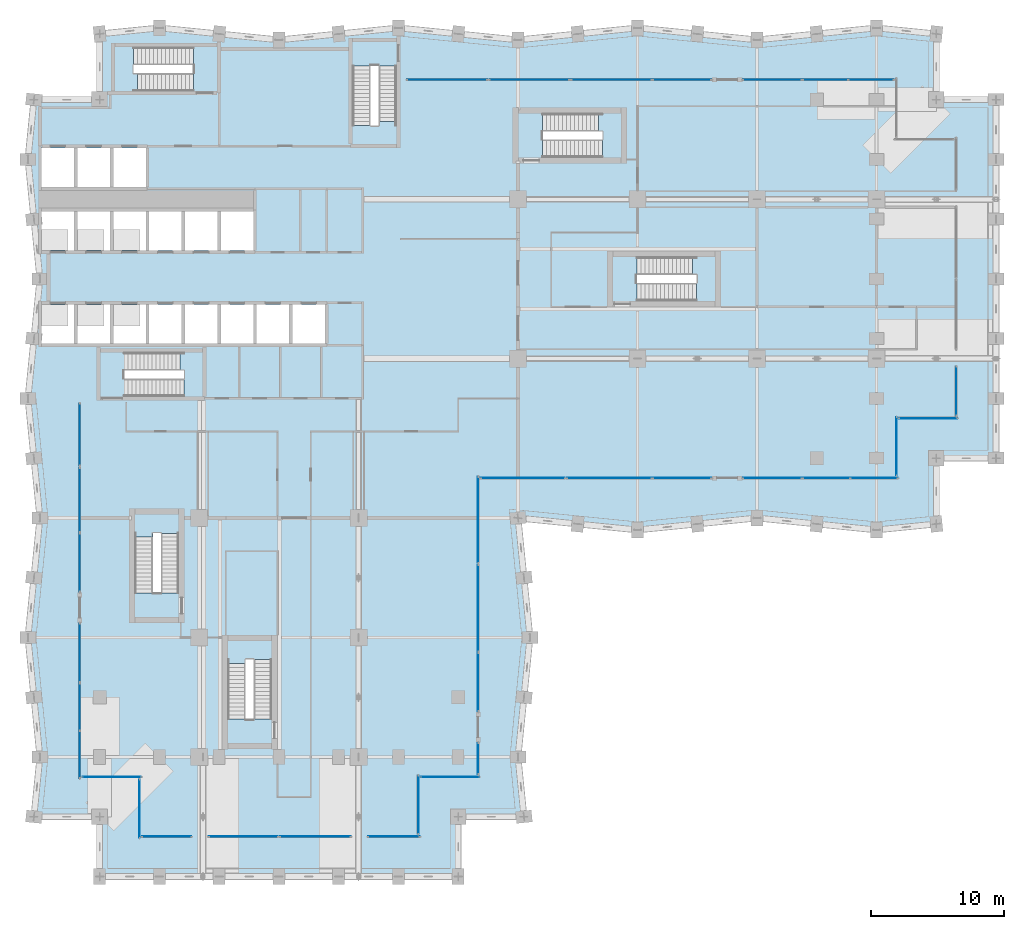
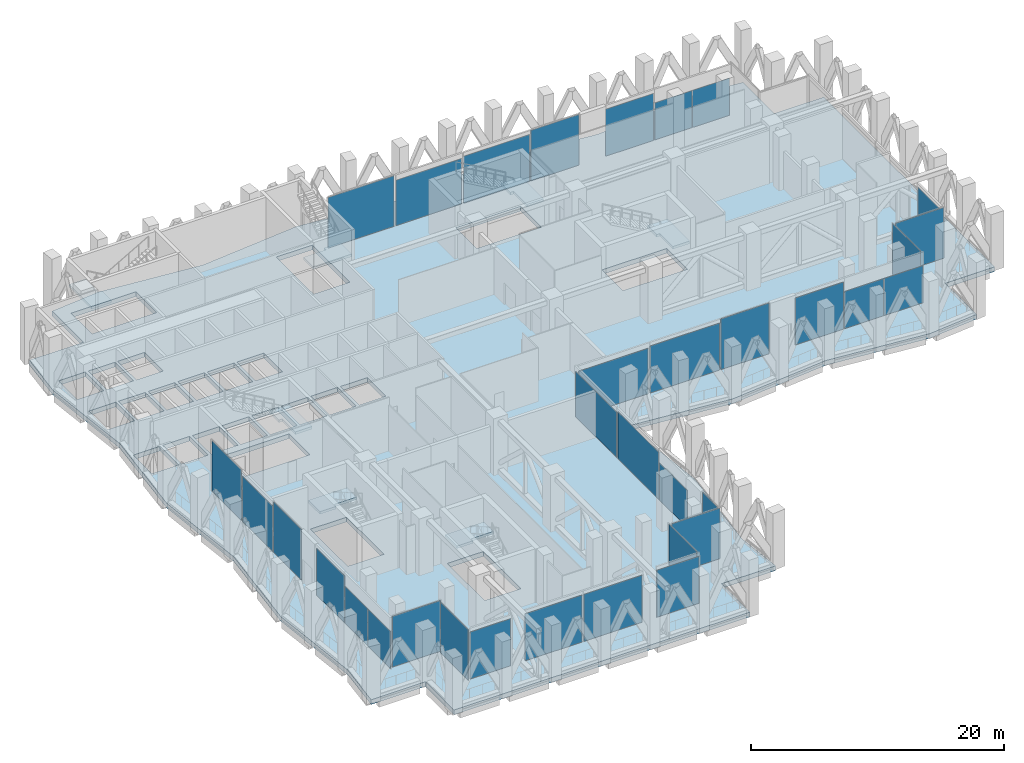
# One storey, part 20 of 37: 34 plates, 8 slabs, 38 elements without a shape of their own.
"""IFC4 building model written with IfcOpenShell, lengths in metres."""

from ifc_helpers import new_model, si_unit, direction, frame, origin, origin_2d, place, context, subcontext, project, spatial, polyline, rectangle, outline, extrude, material, layer, layer_set, type_object, element, aggregate, save


model = new_model("IFC4")

# Units and contexts
model_context = context("Model", 3, precision=1e-05, world=origin(), true_north=direction((0.0, 1.0)))
body_context = subcontext(model_context, "Body", "Model", "MODEL_VIEW")
ifc_project = project(units=[si_unit("LENGTHUNIT", "METRE"), si_unit("AREAUNIT", "SQUARE_METRE"), si_unit("VOLUMEUNIT", "CUBIC_METRE"), si_unit("PLANEANGLEUNIT", "RADIAN"), si_unit("MASSUNIT", "GRAM", prefix="KILO")], contexts=[model_context])

# Site, building, storey
site_placement = place(None, origin())
site = spatial("IfcSite", under=ifc_project, at=site_placement, CompositionType="ELEMENT")
building_placement = place(site_placement, origin())
building = spatial("IfcBuilding", under=site, at=building_placement, Name="Brondeck Convention Tower", CompositionType="ELEMENT")
storey_placement = place(building_placement, frame((0.0, 0.0, 137.89990234375)))
storey = spatial("IfcBuildingStorey", under=building, at=storey_placement, Name="L33", CompositionType="ELEMENT", Elevation=137.89990234375)

# Curtain wall, plate
ifc_material_1 = material(Name="Aluminium, bronze anodised", Category="aluminium")
curtain_wall_type = type_object("IfcCurtainWallType", Name="Sky lobby curtain wall", PredefinedType="NOTDEFINED", material=ifc_material_1)
curtain_wall_1_placement = place(storey_placement, origin())
curtain_wall_1 = element("IfcCurtainWall", 1, at=curtain_wall_1_placement, inside=storey, type_object=curtain_wall_type, Name="ENV-L33-001-CW30", PredefinedType="NOTDEFINED")
ifc_material_2 = material(Name="Bronze tinted laminated glass", Category="glass")
ifc_layer_1 = layer(ifc_material_2, 0.008056640625, Name="Outer pane")
ifc_material_3 = material(Name="Argon-filled cavity")
ifc_layer_2 = layer(ifc_material_3, 0.011962890625, Name="Cavity")
ifc_material_4 = material(Name="Clear low-emissivity glass", Category="glass")
ifc_layer_3 = layer(ifc_material_4, 0.008056640625, Name="Inner pane")
ifc_layer_set_1 = layer_set([ifc_layer_1, ifc_layer_2, ifc_layer_3], Name="CW3 glazing panel")
plate_type = type_object("IfcPlateType", Name="CW3 glazing panel", PredefinedType="CURTAIN_PANEL", material=ifc_layer_set_1)
plate_1_placement = place(storey_placement, frame((5.39990234375, 7.5, 0.06005859375), z_axis=(0.0, 0.0, 1.0), x_axis=(-1.0, 0.0, 0.0)))
plate_1 = element("IfcPlate", 2, at=plate_1_placement, type_object=plate_type, Name="CW3 panel 1.1", PredefinedType="CURTAIN_PANEL", context=body_context, shape_type="SweptSolid", body=[
    extrude(rectangle(XDim=4.3798828125, YDim=0.028076171875, at=origin_2d()), origin(), (0.0, 0.0, 1.0), 4.8798828125),
])
aggregate(curtain_wall_1, [plate_1])

curtain_wall_2_placement = place(storey_placement, origin())
curtain_wall_2 = element("IfcCurtainWall", 3, at=curtain_wall_2_placement, inside=storey, type_object=curtain_wall_type, Name="ENV-L33-002-CW30", PredefinedType="NOTDEFINED")
plate_2_placement = place(storey_placement, frame((7.5, 5.10009765625, 0.06005859375), z_axis=(0.0, 0.0, 1.0), x_axis=(0.0, 1.0, 0.0)))
plate_2 = element("IfcPlate", 4, at=plate_2_placement, type_object=plate_type, Name="CW3 panel 1.1", PredefinedType="CURTAIN_PANEL", context=body_context, shape_type="SweptSolid", body=[
    extrude(rectangle(XDim=4.3798828125, YDim=0.028076171875, at=origin_2d()), origin(), (0.0, 0.0, 1.0), 4.8798828125),
])
aggregate(curtain_wall_2, [plate_2])

curtain_wall_3_placement = place(storey_placement, origin())
curtain_wall_3 = element("IfcCurtainWall", 5, at=curtain_wall_3_placement, inside=storey, type_object=curtain_wall_type, Name="ENV-L33-003-CW30", PredefinedType="NOTDEFINED")
plate_3_placement = place(storey_placement, frame((9.550048828125, 3.0, 0.06005859375), z_axis=(0.0, 0.0, 1.0), x_axis=(-1.0, 0.0, 0.0)))
plate_3 = element("IfcPlate", 6, at=plate_3_placement, type_object=plate_type, Name="CW3 panel 1.1", PredefinedType="CURTAIN_PANEL", context=body_context, shape_type="SweptSolid", body=[
    extrude(rectangle(XDim=3.679931640625, YDim=0.028076171875, at=origin_2d()), origin(), (0.0, 0.0, 1.0), 4.530029296875),
])
aggregate(curtain_wall_3, [plate_3])

curtain_wall_4_placement = place(storey_placement, origin())
curtain_wall_4 = element("IfcCurtainWall", 7, at=curtain_wall_4_placement, inside=storey, type_object=curtain_wall_type, Name="ENV-L33-004-CW30", PredefinedType="NOTDEFINED")
plate_4_placement = place(storey_placement, frame((15.320068359375, 3.0, 0.06005859375), z_axis=(0.0, 0.0, 1.0), x_axis=(-1.0, 0.0, 0.0)))
plate_4 = element("IfcPlate", 8, at=plate_4_placement, type_object=plate_type, Name="CW3 panel 1.1", PredefinedType="CURTAIN_PANEL", context=body_context, shape_type="SweptSolid", body=[
    extrude(rectangle(XDim=5.179931640625, YDim=0.028076171875, at=origin_2d()), origin(), (0.0, 0.0, 1.0), 4.530029296875),
])
aggregate(curtain_wall_4, [plate_4])

curtain_wall_5_placement = place(storey_placement, origin())
curtain_wall_5 = element("IfcCurtainWall", 9, at=curtain_wall_5_placement, inside=storey, type_object=curtain_wall_type, Name="ENV-L33-004-CW31", PredefinedType="NOTDEFINED")
plate_5_placement = place(storey_placement, frame((20.739990234375, 3.0, 0.06005859375), z_axis=(0.0, 0.0, 1.0), x_axis=(-1.0, 0.0, 0.0)))
plate_5 = element("IfcPlate", 10, at=plate_5_placement, type_object=plate_type, Name="CW3 panel 1.1", PredefinedType="CURTAIN_PANEL", context=body_context, shape_type="SweptSolid", body=[
    extrude(rectangle(XDim=5.300048828125, YDim=0.028076171875, at=origin_2d()), origin(), (0.0, 0.0, 1.0), 4.530029296875),
])
aggregate(curtain_wall_5, [plate_5])

curtain_wall_6_placement = place(storey_placement, origin())
curtain_wall_6 = element("IfcCurtainWall", 11, at=curtain_wall_6_placement, inside=storey, type_object=curtain_wall_type, Name="ENV-L33-005-CW30", PredefinedType="NOTDEFINED")
plate_6_placement = place(storey_placement, frame((26.659912109375, 3.0, 0.06005859375), z_axis=(0.0, 0.0, 1.0), x_axis=(-1.0, 0.0, 0.0)))
plate_6 = element("IfcPlate", 12, at=plate_6_placement, type_object=plate_type, Name="CW3 panel 1.1", PredefinedType="CURTAIN_PANEL", context=body_context, shape_type="SweptSolid", body=[
    extrude(rectangle(XDim=3.860107421875, YDim=0.028076171875, at=origin_2d()), origin(), (0.0, 0.0, 1.0), 4.530029296875),
])
aggregate(curtain_wall_6, [plate_6])

curtain_wall_7_placement = place(storey_placement, origin())
curtain_wall_7 = element("IfcCurtainWall", 13, at=curtain_wall_7_placement, inside=storey, type_object=curtain_wall_type, Name="ENV-L33-006-CW30", PredefinedType="NOTDEFINED")
plate_7_placement = place(storey_placement, frame((28.5, 5.39990234375, 0.06005859375), z_axis=(0.0, 0.0, 1.0), x_axis=(0.0, -1.0, 0.0)))
plate_7 = element("IfcPlate", 14, at=plate_7_placement, type_object=plate_type, Name="CW3 panel 1.1", PredefinedType="CURTAIN_PANEL", context=body_context, shape_type="SweptSolid", body=[
    extrude(rectangle(XDim=4.3798828125, YDim=0.028076171875, at=origin_2d()), origin(), (0.0, 0.0, 1.0), 4.8798828125),
])
aggregate(curtain_wall_7, [plate_7])

curtain_wall_8_placement = place(storey_placement, origin())
curtain_wall_8 = element("IfcCurtainWall", 15, at=curtain_wall_8_placement, inside=storey, type_object=curtain_wall_type, Name="ENV-L33-007-CW30", PredefinedType="NOTDEFINED")
plate_8_placement = place(storey_placement, frame((30.89990234375, 7.5, 0.06005859375), z_axis=(0.0, 0.0, 1.0), x_axis=(-1.0, 0.0, 0.0)))
plate_8 = element("IfcPlate", 16, at=plate_8_placement, type_object=plate_type, Name="CW3 panel 1.1", PredefinedType="CURTAIN_PANEL", context=body_context, shape_type="SweptSolid", body=[
    extrude(rectangle(XDim=4.3798828125, YDim=0.028076171875, at=origin_2d()), origin(), (0.0, 0.0, 1.0), 4.8798828125),
])
aggregate(curtain_wall_8, [plate_8])

curtain_wall_9_placement = place(storey_placement, origin())
curtain_wall_9 = element("IfcCurtainWall", 17, at=curtain_wall_9_placement, inside=storey, type_object=curtain_wall_type, Name="ENV-L33-008-CW30", PredefinedType="NOTDEFINED")
plate_9_placement = place(storey_placement, frame((33.0, 8.875, 0.06005859375), z_axis=(0.0, 0.0, 1.0), x_axis=(0.0, -1.0, 0.0)))
plate_9 = element("IfcPlate", 18, at=plate_9_placement, type_object=plate_type, Name="CW3 panel 1.1", PredefinedType="CURTAIN_PANEL", context=body_context, shape_type="SweptSolid", body=[
    extrude(rectangle(XDim=2.330078125, YDim=0.028076171875, at=origin_2d()), origin(), (0.0, 0.0, 1.0), 4.8798828125),
])
aggregate(curtain_wall_9, [plate_9])

curtain_wall_10_placement = place(storey_placement, origin())
curtain_wall_10 = element("IfcCurtainWall", 19, at=curtain_wall_10_placement, inside=storey, type_object=curtain_wall_type, Name="ENV-L33-010-CW30", PredefinedType="NOTDEFINED")
plate_10_placement = place(storey_placement, frame((33.0, 14.64990234375, 0.06005859375), z_axis=(0.0, 0.0, 1.0), x_axis=(0.0, -1.0, 0.0)))
plate_10 = element("IfcPlate", 20, at=plate_10_placement, type_object=plate_type, Name="CW3 panel 1.1", PredefinedType="CURTAIN_PANEL", context=body_context, shape_type="SweptSolid", body=[
    extrude(rectangle(XDim=4.3798828125, YDim=0.028076171875, at=origin_2d()), origin(), (0.0, 0.0, 1.0), 3.580078125),
])
aggregate(curtain_wall_10, [plate_10])

curtain_wall_11_placement = place(storey_placement, origin())
curtain_wall_11 = element("IfcCurtainWall", 21, at=curtain_wall_11_placement, inside=storey, type_object=curtain_wall_type, Name="ENV-L33-011-CW30", PredefinedType="NOTDEFINED")
plate_11_placement = place(storey_placement, frame((33.0, 20.197509765625, 0.06005859375), z_axis=(0.0, 0.0, 1.0), x_axis=(0.0, -1.0, 0.0)))
plate_11 = element("IfcPlate", 22, at=plate_11_placement, type_object=plate_type, Name="CW3 panel 1.1", PredefinedType="CURTAIN_PANEL", context=body_context, shape_type="SweptSolid", body=[
    extrude(rectangle(XDim=6.47509765625, YDim=0.028076171875, at=origin_2d()), origin(), (0.0, 0.0, 1.0), 4.530029296875),
])
aggregate(curtain_wall_11, [plate_11])

curtain_wall_12_placement = place(storey_placement, origin())
curtain_wall_12 = element("IfcCurtainWall", 23, at=curtain_wall_12_placement, inside=storey, type_object=curtain_wall_type, Name="ENV-L33-011-CW31", PredefinedType="NOTDEFINED")
plate_12_placement = place(storey_placement, frame((33.0, 26.8525390625, 0.06005859375), z_axis=(0.0, 0.0, 1.0), x_axis=(0.0, -1.0, 0.0)))
plate_12 = element("IfcPlate", 24, at=plate_12_placement, type_object=plate_type, Name="CW3 panel 1.1", PredefinedType="CURTAIN_PANEL", context=body_context, shape_type="SweptSolid", body=[
    extrude(rectangle(XDim=6.47509765625, YDim=0.028076171875, at=origin_2d()), origin(), (0.0, 0.0, 1.0), 4.3798828125),
])
aggregate(curtain_wall_12, [plate_12])

curtain_wall_13_placement = place(storey_placement, origin())
curtain_wall_13 = element("IfcCurtainWall", 25, at=curtain_wall_13_placement, inside=storey, type_object=curtain_wall_type, Name="ENV-L33-012-CW30", PredefinedType="NOTDEFINED")
plate_13_placement = place(storey_placement, frame((36.37109375, 30.0, 0.06005859375), z_axis=(0.0, 0.0, 1.0), x_axis=(-1.0, 0.0, 0.0)))
plate_13 = element("IfcPlate", 26, at=plate_13_placement, type_object=plate_type, Name="CW3 panel 1.1", PredefinedType="CURTAIN_PANEL", context=body_context, shape_type="SweptSolid", body=[
    extrude(rectangle(XDim=6.325927734375, YDim=0.028076171875, at=origin_2d()), origin(), (0.0, 0.0, 1.0), 4.3798828125),
])
aggregate(curtain_wall_13, [plate_13])

curtain_wall_14_placement = place(storey_placement, origin())
curtain_wall_14 = element("IfcCurtainWall", 27, at=curtain_wall_14_placement, inside=storey, type_object=curtain_wall_type, Name="ENV-L33-012-CW31", PredefinedType="NOTDEFINED")
plate_14_placement = place(storey_placement, frame((42.876953125, 30.0, 0.06005859375), z_axis=(0.0, 0.0, 1.0), x_axis=(-1.0, 0.0, 0.0)))
plate_14 = element("IfcPlate", 28, at=plate_14_placement, type_object=plate_type, Name="CW3 panel 1.1", PredefinedType="CURTAIN_PANEL", context=body_context, shape_type="SweptSolid", body=[
    extrude(rectangle(XDim=6.325927734375, YDim=0.028076171875, at=origin_2d()), origin(), (0.0, 0.0, 1.0), 4.530029296875),
])
aggregate(curtain_wall_14, [plate_14])

curtain_wall_15_placement = place(storey_placement, origin())
curtain_wall_15 = element("IfcCurtainWall", 29, at=curtain_wall_15_placement, inside=storey, type_object=curtain_wall_type, Name="ENV-L33-013-CW30", PredefinedType="NOTDEFINED")
plate_15_placement = place(storey_placement, frame((48.35009765625, 30.0, 0.06005859375), z_axis=(0.0, 0.0, 1.0), x_axis=(-1.0, 0.0, 0.0)))
plate_15 = element("IfcPlate", 30, at=plate_15_placement, type_object=plate_type, Name="CW3 panel 1.1", PredefinedType="CURTAIN_PANEL", context=body_context, shape_type="SweptSolid", body=[
    extrude(rectangle(XDim=4.3798828125, YDim=0.028076171875, at=origin_2d()), origin(), (0.0, 0.0, 1.0), 4.8798828125),
])
aggregate(curtain_wall_15, [plate_15])

curtain_wall_16_placement = place(storey_placement, origin())
curtain_wall_16 = element("IfcCurtainWall", 31, at=curtain_wall_16_placement, inside=storey, type_object=curtain_wall_type, Name="ENV-L33-015-CW30", PredefinedType="NOTDEFINED")
plate_16_placement = place(storey_placement, frame((55.14990234375, 30.0, 0.06005859375), z_axis=(0.0, 0.0, 1.0), x_axis=(-1.0, 0.0, 0.0)))
plate_16 = element("IfcPlate", 32, at=plate_16_placement, type_object=plate_type, Name="CW3 panel 1.1", PredefinedType="CURTAIN_PANEL", context=body_context, shape_type="SweptSolid", body=[
    extrude(rectangle(XDim=4.3798828125, YDim=0.028076171875, at=origin_2d()), origin(), (0.0, 0.0, 1.0), 4.530029296875),
])
aggregate(curtain_wall_16, [plate_16])

# Curtain wall, plates
curtain_wall_17_placement = place(storey_placement, origin())
curtain_wall_17 = element("IfcCurtainWall", 33, at=curtain_wall_17_placement, inside=storey, type_object=curtain_wall_type, Name="ENV-L33-016-CW30", PredefinedType="NOTDEFINED")
plate_17_placement = place(storey_placement, frame((62.822509765625, 30.0, 0.06005859375), z_axis=(0.0, 0.0, 1.0), x_axis=(-1.0, 0.0, 0.0)))
plate_17 = element("IfcPlate", 34, at=plate_17_placement, type_object=plate_type, Name="CW3 panel 1.1", PredefinedType="CURTAIN_PANEL", context=body_context, shape_type="SweptSolid", body=[
    extrude(rectangle(XDim=3.534912109375, YDim=0.028076171875, at=origin_2d()), origin(), (0.0, 0.0, 1.0), 3.580078125),
])
plate_18_placement = place(storey_placement, frame((59.2275390625, 30.0, 0.06005859375), z_axis=(0.0, 0.0, 1.0), x_axis=(-1.0, 0.0, 0.0)))
plate_18 = element("IfcPlate", 35, at=plate_18_placement, type_object=plate_type, Name="CW3 panel 2.1", PredefinedType="CURTAIN_PANEL", context=body_context, shape_type="SweptSolid", body=[
    extrude(rectangle(XDim=3.534912109375, YDim=0.028076171875, at=origin_2d()), origin(), (0.0, 0.0, 1.0), 3.580078125),
])
aggregate(curtain_wall_17, [plate_17, plate_18])

# Curtain wall, plate
curtain_wall_18_placement = place(storey_placement, origin())
curtain_wall_18 = element("IfcCurtainWall", 36, at=curtain_wall_18_placement, inside=storey, type_object=curtain_wall_type, Name="ENV-L33-017-CW30", PredefinedType="NOTDEFINED")
plate_19_placement = place(storey_placement, frame((64.5, 32.39990234375, 0.06005859375), z_axis=(0.0, 0.0, 1.0), x_axis=(0.0, -1.0, 0.0)))
plate_19 = element("IfcPlate", 37, at=plate_19_placement, type_object=plate_type, Name="CW3 panel 1.1", PredefinedType="CURTAIN_PANEL", context=body_context, shape_type="SweptSolid", body=[
    extrude(rectangle(XDim=4.3798828125, YDim=0.028076171875, at=origin_2d()), origin(), (0.0, 0.0, 1.0), 4.8798828125),
])
aggregate(curtain_wall_18, [plate_19])

curtain_wall_19_placement = place(storey_placement, origin())
curtain_wall_19 = element("IfcCurtainWall", 38, at=curtain_wall_19_placement, inside=storey, type_object=curtain_wall_type, Name="ENV-L33-018-CW30", PredefinedType="NOTDEFINED")
plate_20_placement = place(storey_placement, frame((66.89990234375, 34.5, 0.06005859375), z_axis=(0.0, 0.0, 1.0), x_axis=(-1.0, 0.0, 0.0)))
plate_20 = element("IfcPlate", 39, at=plate_20_placement, type_object=plate_type, Name="CW3 panel 1.1", PredefinedType="CURTAIN_PANEL", context=body_context, shape_type="SweptSolid", body=[
    extrude(rectangle(XDim=4.3798828125, YDim=0.028076171875, at=origin_2d()), origin(), (0.0, 0.0, 1.0), 4.8798828125),
])
aggregate(curtain_wall_19, [plate_20])

curtain_wall_20_placement = place(storey_placement, origin())
curtain_wall_20 = element("IfcCurtainWall", 40, at=curtain_wall_20_placement, inside=storey, type_object=curtain_wall_type, Name="ENV-L33-019-CW30", PredefinedType="NOTDEFINED")
plate_21_placement = place(storey_placement, frame((69.0, 36.549072265625, 0.06005859375), z_axis=(0.0, 0.0, 1.0), x_axis=(0.0, -1.0, 0.0)))
plate_21 = element("IfcPlate", 41, at=plate_21_placement, type_object=plate_type, Name="CW3 panel 1.1", PredefinedType="CURTAIN_PANEL", context=body_context, shape_type="SweptSolid", body=[
    extrude(rectangle(XDim=3.681884765625, YDim=0.028076171875, at=origin_2d()), origin(), (0.0, 0.0, 1.0), 4.530029296875),
])
aggregate(curtain_wall_20, [plate_21])

# Curtain wall, plates
curtain_wall_21_placement = place(storey_placement, origin())
curtain_wall_21 = element("IfcCurtainWall", 42, at=curtain_wall_21_placement, inside=storey, type_object=curtain_wall_type, Name="ENV-L33-024-CW30", PredefinedType="NOTDEFINED")
plate_22_placement = place(storey_placement, frame((59.152587890625, 60.0, 0.06005859375), z_axis=(0.0, 0.0, 1.0), x_axis=(1.0, 0.0, 0.0)))
plate_22 = element("IfcPlate", 43, at=plate_22_placement, type_object=plate_type, Name="CW3 panel 1.1", PredefinedType="CURTAIN_PANEL", context=body_context, shape_type="SweptSolid", body=[
    extrude(rectangle(XDim=3.385009765625, YDim=0.028076171875, at=origin_2d()), origin(), (0.0, 0.0, 1.0), 3.580078125),
])
plate_23_placement = place(storey_placement, frame((62.597412109375, 60.0, 0.06005859375), z_axis=(0.0, 0.0, 1.0), x_axis=(1.0, 0.0, 0.0)))
plate_23 = element("IfcPlate", 44, at=plate_23_placement, type_object=plate_type, Name="CW3 panel 2.1", PredefinedType="CURTAIN_PANEL", context=body_context, shape_type="SweptSolid", body=[
    extrude(rectangle(XDim=3.385009765625, YDim=0.028076171875, at=origin_2d()), origin(), (0.0, 0.0, 1.0), 3.580078125),
])
aggregate(curtain_wall_21, [plate_22, plate_23])

# Curtain wall, plate
curtain_wall_22_placement = place(storey_placement, origin())
curtain_wall_22 = element("IfcCurtainWall", 45, at=curtain_wall_22_placement, inside=storey, type_object=curtain_wall_type, Name="ENV-L33-025-CW30", PredefinedType="NOTDEFINED")
plate_24_placement = place(storey_placement, frame((55.14990234375, 60.0, 0.06005859375), z_axis=(0.0, 0.0, 1.0), x_axis=(1.0, 0.0, 0.0)))
plate_24 = element("IfcPlate", 46, at=plate_24_placement, type_object=plate_type, Name="CW3 panel 1.1", PredefinedType="CURTAIN_PANEL", context=body_context, shape_type="SweptSolid", body=[
    extrude(rectangle(XDim=4.3798828125, YDim=0.028076171875, at=origin_2d()), origin(), (0.0, 0.0, 1.0), 4.530029296875),
])
aggregate(curtain_wall_22, [plate_24])

curtain_wall_23_placement = place(storey_placement, origin())
curtain_wall_23 = element("IfcCurtainWall", 47, at=curtain_wall_23_placement, inside=storey, type_object=curtain_wall_type, Name="ENV-L33-027-CW30", PredefinedType="NOTDEFINED")
plate_25_placement = place(storey_placement, frame((48.35009765625, 60.0, 0.06005859375), z_axis=(0.0, 0.0, 1.0), x_axis=(1.0, 0.0, 0.0)))
plate_25 = element("IfcPlate", 48, at=plate_25_placement, type_object=plate_type, Name="CW3 panel 1.1", PredefinedType="CURTAIN_PANEL", context=body_context, shape_type="SweptSolid", body=[
    extrude(rectangle(XDim=4.3798828125, YDim=0.028076171875, at=origin_2d()), origin(), (0.0, 0.0, 1.0), 4.8798828125),
])
aggregate(curtain_wall_23, [plate_25])

curtain_wall_24_placement = place(storey_placement, origin())
curtain_wall_24 = element("IfcCurtainWall", 49, at=curtain_wall_24_placement, inside=storey, type_object=curtain_wall_type, Name="ENV-L33-028-CW30", PredefinedType="NOTDEFINED")
plate_26_placement = place(storey_placement, frame((43.03173828125, 60.0, 0.06005859375), z_axis=(0.0, 0.0, 1.0), x_axis=(1.0, 0.0, 0.0)))
plate_26 = element("IfcPlate", 50, at=plate_26_placement, type_object=plate_type, Name="CW3 panel 1.1", PredefinedType="CURTAIN_PANEL", context=body_context, shape_type="SweptSolid", body=[
    extrude(rectangle(XDim=6.0166015625, YDim=0.028076171875, at=origin_2d()), origin(), (0.0, 0.0, 1.0), 4.530029296875),
])
aggregate(curtain_wall_24, [plate_26])

curtain_wall_25_placement = place(storey_placement, origin())
curtain_wall_25 = element("IfcCurtainWall", 51, at=curtain_wall_25_placement, inside=storey, type_object=curtain_wall_type, Name="ENV-L33-028-CW31", PredefinedType="NOTDEFINED")
plate_27_placement = place(storey_placement, frame((36.85009765625, 60.0, 0.06005859375), z_axis=(0.0, 0.0, 1.0), x_axis=(1.0, 0.0, 0.0)))
plate_27 = element("IfcPlate", 52, at=plate_27_placement, type_object=plate_type, Name="CW3 panel 1.1", PredefinedType="CURTAIN_PANEL", context=body_context, shape_type="SweptSolid", body=[
    extrude(rectangle(XDim=5.986572265625, YDim=0.028076171875, at=origin_2d()), origin(), (0.0, 0.0, 1.0), 4.3798828125),
])
aggregate(curtain_wall_25, [plate_27])

curtain_wall_26_placement = place(storey_placement, origin())
curtain_wall_26 = element("IfcCurtainWall", 53, at=curtain_wall_26_placement, inside=storey, type_object=curtain_wall_type, Name="ENV-L33-028-CW32", PredefinedType="NOTDEFINED")
plate_28_placement = place(storey_placement, frame((30.66845703125, 60.0, 0.06005859375), z_axis=(0.0, 0.0, 1.0), x_axis=(1.0, 0.0, 0.0)))
plate_28 = element("IfcPlate", 54, at=plate_28_placement, type_object=plate_type, Name="CW3 panel 1.1", PredefinedType="CURTAIN_PANEL", context=body_context, shape_type="SweptSolid", body=[
    extrude(rectangle(XDim=6.0166015625, YDim=0.028076171875, at=origin_2d()), origin(), (0.0, 0.0, 1.0), 4.8798828125),
])
aggregate(curtain_wall_26, [plate_28])

curtain_wall_27_placement = place(storey_placement, origin())
curtain_wall_27 = element("IfcCurtainWall", 55, at=curtain_wall_27_placement, inside=storey, type_object=curtain_wall_type, Name="ENV-L33-029-CW30", PredefinedType="NOTDEFINED")
plate_29_placement = place(storey_placement, frame((3.0, 33.280029296875, 0.06005859375), z_axis=(0.0, 0.0, 1.0), x_axis=(0.0, 1.0, 0.0)))
plate_29 = element("IfcPlate", 56, at=plate_29_placement, type_object=plate_type, Name="CW3 panel 1.1", PredefinedType="CURTAIN_PANEL", context=body_context, shape_type="SweptSolid", body=[
    extrude(rectangle(XDim=4.679931640625, YDim=0.028076171875, at=origin_2d()), origin(), (0.0, 0.0, 1.0), 4.8798828125),
])
aggregate(curtain_wall_27, [plate_29])

curtain_wall_28_placement = place(storey_placement, origin())
curtain_wall_28 = element("IfcCurtainWall", 57, at=curtain_wall_28_placement, inside=storey, type_object=curtain_wall_type, Name="ENV-L33-029-CW31", PredefinedType="NOTDEFINED")
plate_30_placement = place(storey_placement, frame((3.0, 28.360107421875, 0.06005859375), z_axis=(0.0, 0.0, 1.0), x_axis=(0.0, 1.0, 0.0)))
plate_30 = element("IfcPlate", 58, at=plate_30_placement, type_object=plate_type, Name="CW3 panel 1.1", PredefinedType="CURTAIN_PANEL", context=body_context, shape_type="SweptSolid", body=[
    extrude(rectangle(XDim=4.800048828125, YDim=0.028076171875, at=origin_2d()), origin(), (0.0, 0.0, 1.0), 4.3798828125),
])
aggregate(curtain_wall_28, [plate_30])

curtain_wall_29_placement = place(storey_placement, origin())
curtain_wall_29 = element("IfcCurtainWall", 59, at=curtain_wall_29_placement, inside=storey, type_object=curtain_wall_type, Name="ENV-L33-030-CW30", PredefinedType="NOTDEFINED")
plate_31_placement = place(storey_placement, frame((3.0, 23.64990234375, 0.06005859375), z_axis=(0.0, 0.0, 1.0), x_axis=(0.0, 1.0, 0.0)))
plate_31 = element("IfcPlate", 60, at=plate_31_placement, type_object=plate_type, Name="CW3 panel 1.1", PredefinedType="CURTAIN_PANEL", context=body_context, shape_type="SweptSolid", body=[
    extrude(rectangle(XDim=4.3798828125, YDim=0.028076171875, at=origin_2d()), origin(), (0.0, 0.0, 1.0), 4.8798828125),
])
aggregate(curtain_wall_29, [plate_31])

curtain_wall_30_placement = place(storey_placement, origin())
curtain_wall_30 = element("IfcCurtainWall", 61, at=curtain_wall_30_placement, inside=storey, type_object=curtain_wall_type, Name="ENV-L33-032-CW30", PredefinedType="NOTDEFINED")
plate_32_placement = place(storey_placement, frame((3.0, 16.85009765625, 0.06005859375), z_axis=(0.0, 0.0, 1.0), x_axis=(0.0, 1.0, 0.0)))
plate_32 = element("IfcPlate", 62, at=plate_32_placement, type_object=plate_type, Name="CW3 panel 1.1", PredefinedType="CURTAIN_PANEL", context=body_context, shape_type="SweptSolid", body=[
    extrude(rectangle(XDim=4.3798828125, YDim=0.028076171875, at=origin_2d()), origin(), (0.0, 0.0, 1.0), 4.530029296875),
])
aggregate(curtain_wall_30, [plate_32])

# Curtain wall, plates
curtain_wall_31_placement = place(storey_placement, origin())
curtain_wall_31 = element("IfcCurtainWall", 63, at=curtain_wall_31_placement, inside=storey, type_object=curtain_wall_type, Name="ENV-L33-033-CW30", PredefinedType="NOTDEFINED")
plate_33_placement = place(storey_placement, frame((3.0, 9.177490234375, 0.06005859375), z_axis=(0.0, 0.0, 1.0), x_axis=(0.0, 1.0, 0.0)))
plate_33 = element("IfcPlate", 64, at=plate_33_placement, type_object=plate_type, Name="CW3 panel 1.1", PredefinedType="CURTAIN_PANEL", context=body_context, shape_type="SweptSolid", body=[
    extrude(rectangle(XDim=3.534912109375, YDim=0.028076171875, at=origin_2d()), origin(), (0.0, 0.0, 1.0), 3.580078125),
])
plate_34_placement = place(storey_placement, frame((3.0, 12.7724609375, 0.06005859375), z_axis=(0.0, 0.0, 1.0), x_axis=(0.0, 1.0, 0.0)))
plate_34 = element("IfcPlate", 65, at=plate_34_placement, type_object=plate_type, Name="CW3 panel 2.1", PredefinedType="CURTAIN_PANEL", context=body_context, shape_type="SweptSolid", body=[
    extrude(rectangle(XDim=3.534912109375, YDim=0.028076171875, at=origin_2d()), origin(), (0.0, 0.0, 1.0), 3.580078125),
])
aggregate(curtain_wall_31, [plate_33, plate_34])

# Slab
ifc_material_5 = material(Name="Concrete C35/45", Category="concrete")
ifc_layer_4 = layer(ifc_material_5, 0.449951171875)
ifc_layer_set_2 = layer_set([ifc_layer_4], Name="Composite floor slab 450")
slab_type_1 = type_object("IfcSlabType", Name="Composite floor slab 450", PredefinedType="FLOOR", material=ifc_layer_set_2)
slab_1_placement = place(storey_placement, frame((0.0, 0.0, -0.449951171875)))
element("IfcSlab", 66, at=slab_1_placement, inside=storey, type_object=slab_type_1, Name="STR-SL-L33", PredefinedType="FLOOR", context=body_context, shape_type="SweptSolid", body=[
    extrude(outline(polyline([(4.5, 4.5), (-0.449951171875, 4.5), (0.0, 9.0), (-0.89990234375, 18.0), (0.0, 27.0), (-0.89990234375, 36.0), (0.0, 45.0), (-0.89990234375, 54.0), (-0.449951171875, 58.5), (4.5, 58.5), (4.5, 63.449951171875), (9.0, 63.89990234375), (18.0, 63.0), (27.0, 63.89990234375), (36.0, 63.0), (45.0, 63.89990234375), (54.0, 63.0), (63.0, 63.89990234375), (67.5, 63.449951171875), (67.5, 58.5), (72.0, 58.5), (72.0, 31.5), (67.5, 31.5), (67.5, 26.550048828125), (63.0, 26.10009765625), (54.0, 27.0), (45.0, 26.10009765625), (36.0, 27.0), (36.89990234375, 18.0), (36.0, 9.0), (36.449951171875, 4.5), (31.5, 4.5), (31.5, 0.0), (4.5, 0.0), (4.5, 4.5)]), holes=[polyline([(10.447998046875, 27.248046875), (7.152099609375, 27.248046875), (7.152099609375, 21.35205078125), (10.447998046875, 21.35205078125), (10.447998046875, 27.248046875)]), polyline([(6.35205078125, 36.152099609375), (12.248046875, 36.152099609375), (12.248046875, 39.447998046875), (6.35205078125, 39.447998046875), (6.35205078125, 36.152099609375)]), polyline([(0.125, 40.125), (2.574951171875, 40.125), (2.574951171875, 43.074951171875), (0.125, 43.074951171875), (0.125, 40.125)]), polyline([(5.27490234375, 40.125), (5.27490234375, 43.074951171875), (2.824951171875, 43.074951171875), (2.824951171875, 40.125), (5.27490234375, 40.125)]), polyline([(5.52490234375, 40.125), (7.97509765625, 40.125), (7.97509765625, 43.074951171875), (5.52490234375, 43.074951171875), (5.52490234375, 40.125)]), polyline([(0.125, 47.125), (2.574951171875, 47.125), (2.574951171875, 50.074951171875), (0.125, 50.074951171875), (0.125, 47.125)]), polyline([(5.27490234375, 47.125), (5.27490234375, 50.074951171875), (2.824951171875, 50.074951171875), (2.824951171875, 47.125), (5.27490234375, 47.125)]), polyline([(5.52490234375, 47.125), (7.97509765625, 47.125), (7.97509765625, 50.074951171875), (5.52490234375, 50.074951171875), (5.52490234375, 47.125)]), polyline([(0.125, 51.925048828125), (2.574951171875, 51.925048828125), (2.574951171875, 54.875), (0.125, 54.875), (0.125, 51.925048828125)]), polyline([(5.27490234375, 51.925048828125), (5.27490234375, 54.875), (2.824951171875, 54.875), (2.824951171875, 51.925048828125), (5.27490234375, 51.925048828125)]), polyline([(5.52490234375, 51.925048828125), (7.97509765625, 51.925048828125), (7.97509765625, 54.875), (5.52490234375, 54.875), (5.52490234375, 51.925048828125)]), polyline([(11.548095703125, 62.447998046875), (5.652099609375, 62.447998046875), (5.652099609375, 59.152099609375), (11.548095703125, 59.152099609375), (11.548095703125, 62.447998046875)]), polyline([(17.447998046875, 17.748046875), (14.152099609375, 17.748046875), (14.152099609375, 11.85205078125), (17.447998046875, 11.85205078125), (17.447998046875, 17.748046875)]), polyline([(8.22509765625, 40.125), (10.675048828125, 40.125), (10.675048828125, 43.074951171875), (8.22509765625, 43.074951171875), (8.22509765625, 40.125)]), polyline([(10.925048828125, 40.125), (13.375, 40.125), (13.375, 43.074951171875), (10.925048828125, 43.074951171875), (10.925048828125, 40.125)]), polyline([(16.074951171875, 40.125), (16.074951171875, 43.074951171875), (13.625, 43.074951171875), (13.625, 40.125), (16.074951171875, 40.125)]), polyline([(16.324951171875, 40.125), (18.77490234375, 40.125), (18.77490234375, 43.074951171875), (16.324951171875, 43.074951171875), (16.324951171875, 40.125)]), polyline([(19.02490234375, 40.125), (21.47509765625, 40.125), (21.47509765625, 43.074951171875), (19.02490234375, 43.074951171875), (19.02490234375, 40.125)]), polyline([(50.847900390625, 43.35205078125), (50.847900390625, 46.64794921875), (44.951904296875, 46.64794921875), (44.951904296875, 43.35205078125), (50.847900390625, 43.35205078125)]), polyline([(8.22509765625, 47.125), (10.675048828125, 47.125), (10.675048828125, 50.074951171875), (8.22509765625, 50.074951171875), (8.22509765625, 47.125)]), polyline([(10.925048828125, 47.125), (13.375, 47.125), (13.375, 50.074951171875), (10.925048828125, 50.074951171875), (10.925048828125, 47.125)]), polyline([(16.074951171875, 47.125), (16.074951171875, 50.074951171875), (13.625, 50.074951171875), (13.625, 47.125), (16.074951171875, 47.125)]), polyline([(37.85205078125, 54.152099609375), (43.748046875, 54.152099609375), (43.748046875, 57.447998046875), (37.85205078125, 57.447998046875), (37.85205078125, 54.152099609375)]), polyline([(23.552001953125, 61.048095703125), (23.552001953125, 55.152099609375), (26.847900390625, 55.152099609375), (26.847900390625, 61.048095703125), (23.552001953125, 61.048095703125)])]), origin(), (0.0, 0.0, 1.0), 0.449951171875),
])

# Stair, slab
ifc_material_6 = material(Name="Precast concrete C50/60", Category="concrete")
stair_type = type_object("IfcStairType", Name="Core stair 32 risers 171.88 mm riser 300 mm going 1350 wide", PredefinedType="HALF_TURN_STAIR", material=ifc_material_6)
stair_1_placement = place(storey_placement, origin())
stair_1 = element("IfcStair", 67, at=stair_1_placement, inside=storey, type_object=stair_type, Name="ST-1 L33 stair", PredefinedType="HALF_TURN_STAIR")
ifc_layer_5 = layer(ifc_material_6, 0.25)
ifc_layer_set_3 = layer_set([ifc_layer_5], Name="Core stair landing 250 Precast concrete C50/60")
slab_type_2 = type_object("IfcSlabType", Name="Core stair landing 250 Precast concrete C50/60", PredefinedType="LANDING", material=ifc_layer_set_3)
slab_2_placement = place(storey_placement, frame((0.0, 0.0, 2.5)))
slab_2 = element("IfcSlab", 68, at=slab_2_placement, type_object=slab_type_2, Name="ST-1 landing 1", PredefinedType="LANDING", context=body_context, shape_type="SweptSolid", body=[
    extrude(outline(polyline([(10.847900390625, 37.5), (10.85009765625, 37.5), (10.85009765625, 38.10009765625), (10.550048828125, 38.10009765625), (10.550048828125, 39.570068359375), (12.3701171875, 39.570068359375), (12.3701171875, 36.030029296875), (10.847900390625, 36.030029296875), (10.847900390625, 37.5)])), origin(), (0.0, 0.0, 1.0), 0.25),
])
aggregate(stair_1, [slab_2])

stair_2_placement = place(storey_placement, origin())
stair_2 = element("IfcStair", 69, at=stair_2_placement, inside=storey, type_object=stair_type, Name="ST-2 L33 stair", PredefinedType="HALF_TURN_STAIR")
slab_3_placement = place(storey_placement, frame((0.0, 0.0, 2.5)))
slab_3 = element("IfcSlab", 70, at=slab_3_placement, type_object=slab_type_2, Name="ST-2 landing 1", PredefinedType="LANDING", context=body_context, shape_type="SweptSolid", body=[
    extrude(outline(polyline([(23.429931640625, 56.552001953125), (24.89990234375, 56.552001953125), (24.89990234375, 56.550048828125), (25.5, 56.550048828125), (25.5, 56.85009765625), (26.969970703125, 56.85009765625), (26.969970703125, 55.030029296875), (23.429931640625, 55.030029296875), (23.429931640625, 56.552001953125)])), origin(), (0.0, 0.0, 1.0), 0.25),
])
aggregate(stair_2, [slab_3])

stair_3_placement = place(storey_placement, origin())
stair_3 = element("IfcStair", 71, at=stair_3_placement, inside=storey, type_object=stair_type, Name="ST-3 L33 stair", PredefinedType="HALF_TURN_STAIR")
slab_4_placement = place(storey_placement, frame((0.0, 0.0, 2.5)))
slab_4 = element("IfcSlab", 72, at=slab_4_placement, type_object=slab_type_2, Name="ST-3 landing 1", PredefinedType="LANDING", context=body_context, shape_type="SweptSolid", body=[
    extrude(outline(polyline([(7.35009765625, 60.5), (7.35009765625, 59.030029296875), (5.530029296875, 59.030029296875), (5.530029296875, 62.570068359375), (7.052001953125, 62.570068359375), (7.052001953125, 61.10009765625), (7.050048828125, 61.10009765625), (7.050048828125, 60.5), (7.35009765625, 60.5)])), origin(), (0.0, 0.0, 1.0), 0.25),
])
aggregate(stair_3, [slab_4])

stair_4_placement = place(storey_placement, origin())
stair_4 = element("IfcStair", 73, at=stair_4_placement, inside=storey, type_object=stair_type, Name="ST-AE L33 stair", PredefinedType="HALF_TURN_STAIR")
slab_5_placement = place(storey_placement, frame((0.0, 0.0, 2.5)))
slab_5 = element("IfcSlab", 74, at=slab_5_placement, type_object=slab_type_2, Name="ST-AE landing 1", PredefinedType="LANDING", context=body_context, shape_type="SweptSolid", body=[
    extrude(outline(polyline([(42.347900390625, 55.5), (42.35009765625, 55.5), (42.35009765625, 56.10009765625), (42.050048828125, 56.10009765625), (42.050048828125, 57.570068359375), (43.8701171875, 57.570068359375), (43.8701171875, 54.030029296875), (42.347900390625, 54.030029296875), (42.347900390625, 55.5)])), origin(), (0.0, 0.0, 1.0), 0.25),
])
aggregate(stair_4, [slab_5])

stair_5_placement = place(storey_placement, origin())
stair_5 = element("IfcStair", 75, at=stair_5_placement, inside=storey, type_object=stair_type, Name="ST-BE L33 stair", PredefinedType="HALF_TURN_STAIR")
slab_6_placement = place(storey_placement, frame((0.0, 0.0, 2.5)))
slab_6 = element("IfcSlab", 76, at=slab_6_placement, type_object=slab_type_2, Name="ST-BE landing 1", PredefinedType="LANDING", context=body_context, shape_type="SweptSolid", body=[
    extrude(outline(polyline([(7.030029296875, 25.550048828125), (7.030029296875, 27.3701171875), (10.570068359375, 27.3701171875), (10.570068359375, 25.847900390625), (9.10009765625, 25.847900390625), (9.10009765625, 25.85009765625), (8.5, 25.85009765625), (8.5, 25.550048828125), (7.030029296875, 25.550048828125)])), origin(), (0.0, 0.0, 1.0), 0.25),
])
aggregate(stair_5, [slab_6])

stair_6_placement = place(storey_placement, origin())
stair_6 = element("IfcStair", 77, at=stair_6_placement, inside=storey, type_object=stair_type, Name="ST-AF L33 stair", PredefinedType="HALF_TURN_STAIR")
slab_7_placement = place(storey_placement, frame((0.0, 0.0, 2.5)))
slab_7 = element("IfcSlab", 78, at=slab_7_placement, type_object=slab_type_2, Name="ST-AF landing 1", PredefinedType="LANDING", context=body_context, shape_type="SweptSolid", body=[
    extrude(outline(polyline([(49.447998046875, 44.699951171875), (49.449951171875, 44.699951171875), (49.449951171875, 45.300048828125), (49.14990234375, 45.300048828125), (49.14990234375, 46.77001953125), (50.969970703125, 46.77001953125), (50.969970703125, 43.22998046875), (49.447998046875, 43.22998046875), (49.447998046875, 44.699951171875)])), origin(), (0.0, 0.0, 1.0), 0.25),
])
aggregate(stair_6, [slab_7])

stair_7_placement = place(storey_placement, origin())
stair_7 = element("IfcStair", 79, at=stair_7_placement, inside=storey, type_object=stair_type, Name="ST-BF L33 stair", PredefinedType="HALF_TURN_STAIR")
slab_8_placement = place(storey_placement, frame((0.0, 0.0, 2.5)))
slab_8 = element("IfcSlab", 80, at=slab_8_placement, type_object=slab_type_2, Name="ST-BF landing 1", PredefinedType="LANDING", context=body_context, shape_type="SweptSolid", body=[
    extrude(outline(polyline([(14.030029296875, 16.050048828125), (14.030029296875, 17.8701171875), (17.570068359375, 17.8701171875), (17.570068359375, 16.347900390625), (16.10009765625, 16.347900390625), (16.10009765625, 16.35009765625), (15.5, 16.35009765625), (15.5, 16.050048828125), (14.030029296875, 16.050048828125)])), origin(), (0.0, 0.0, 1.0), 0.25),
])
aggregate(stair_7, [slab_8])

save(model, "model.ifc")
